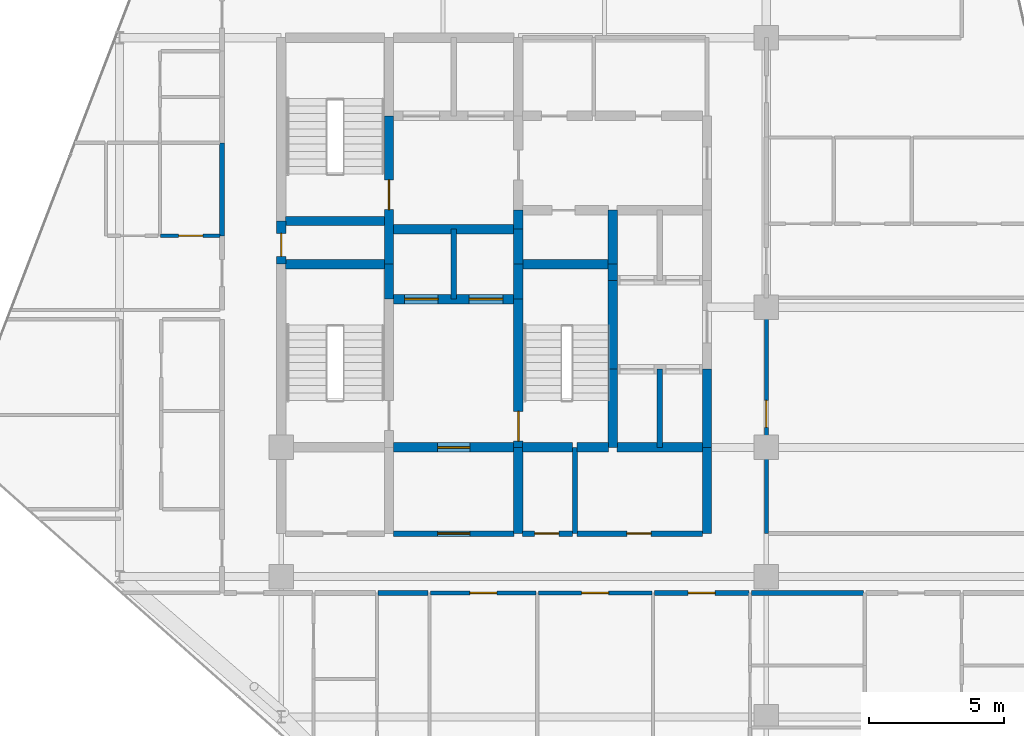
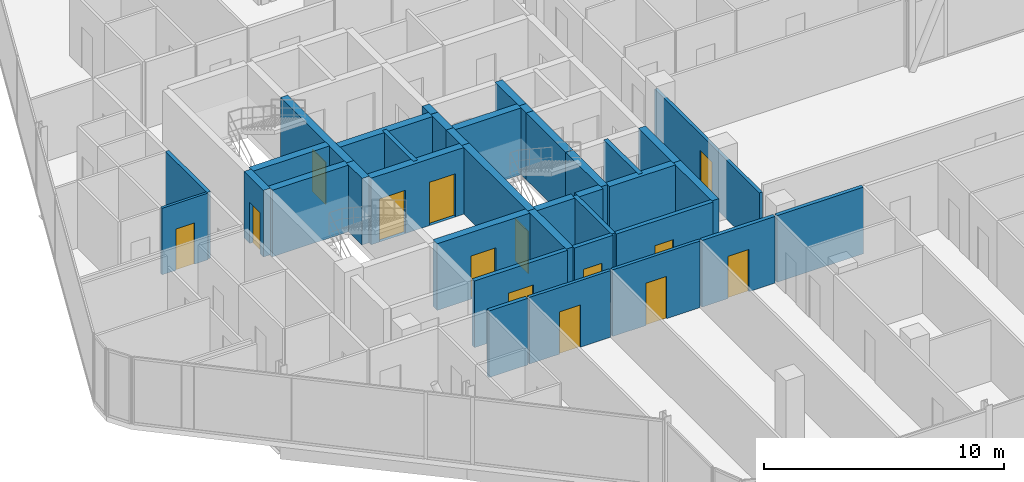
# One storey, part 24 of 29: 37 walls, 14 doors, 14 openings.
"""IFC4 building model written with IfcOpenShell, lengths in metres."""

from ifc_helpers import new_model, si_unit, direction, frame, frame_2d, origin, place, context, subcontext, project, spatial, rectangle, extrude, material, layer, layer_set, type_object, element, fill, save


model = new_model("IFC4")

# Units and contexts
model_context = context("Model", 3, precision=1e-05, world=origin(), true_north=direction((0.0, 1.0)))
body_context = subcontext(model_context, "Body", "Model", "MODEL_VIEW")
ifc_project = project(units=[si_unit("LENGTHUNIT", "METRE"), si_unit("AREAUNIT", "SQUARE_METRE"), si_unit("VOLUMEUNIT", "CUBIC_METRE"), si_unit("PLANEANGLEUNIT", "RADIAN"), si_unit("MASSUNIT", "GRAM", prefix="KILO")], contexts=[model_context])

# Site, building, storey
site_placement = place(None, origin())
site = spatial("IfcSite", under=ifc_project, at=site_placement, CompositionType="ELEMENT")
building_placement = place(site_placement, origin())
building = spatial("IfcBuilding", under=site, at=building_placement, Name="Keshet Zoharim Tower", CompositionType="ELEMENT")
storey_placement = place(building_placement, frame((0.0, 0.0, 199.5)))
storey = spatial("IfcBuildingStorey", under=building, at=storey_placement, Name="L49", CompositionType="ELEMENT", Elevation=199.5)

# Wall, opening, door
ifc_material_1 = material(Name="Gypsum Plasterboard", Category="gypsum")
ifc_layer_1 = layer(ifc_material_1, 0.14990234375)
ifc_layer_set_1 = layer_set([ifc_layer_1], Name="Gypsum Plasterboard")
wall_type_1 = type_object("IfcWallType", Name="WL-CLIN-150", PredefinedType="STANDARD", material=ifc_layer_set_1)
wall_1_placement = place(storey_placement, frame((33.0, 19.510009765625, 0.0), z_axis=(0.0, 0.0, 1.0), x_axis=(0.0, 1.0, 0.0)))
wall_1 = element("IfcWall", 1, at=wall_1_placement, inside=storey, type_object=wall_type_1, Name="L49 Interior Wall 071", PredefinedType="STANDARD", context=body_context, shape_type="SweptSolid", body=[
    extrude(rectangle(XDim=8.719970703125, YDim=0.14990234375, at=frame_2d((4.35986328125, 0.0))), origin(), (0.0, 0.0, 1.0), 2.989990234375),
])
opening_1_placement = place(wall_1_placement, frame((3.930908203125, 0.0, 0.0)))
opening_1 = element("IfcOpeningElement", 2, at=opening_1_placement, cuts=wall_1, Name="Opening D-F310", PredefinedType="OPENING", context=body_context, shape_type="SweptSolid", body=[
    extrude(rectangle(XDim=1.0, YDim=2.14990234375, at=frame_2d((0.5, 1.074951171875))), frame((0.0, 0.0849609375, 0.0), z_axis=(0.0, -1.0, 0.0), x_axis=(1.0, 0.0, 0.0)), (0.0, 0.0, 1.0), 0.169921875),
])
ifc_material_2 = material(Name="Hardwood Timber", Category="wood")
door_type_1 = type_object("IfcDoorType", Name="DR-FD30-100", OperationType="NOTDEFINED", PredefinedType="DOOR", material=ifc_material_2)
door_1_placement = place(opening_1_placement, origin())
door_1 = element("IfcDoor", 3, at=door_1_placement, inside=storey, type_object=door_type_1, Name="L49 South East Residents Services Suite Door 2", OperationType="SINGLE_SWING_RIGHT", OverallHeight=2.14990234375, OverallWidth=1.0, PredefinedType="DOOR", context=body_context, shape_type="SweptSolid", body=[
    extrude(rectangle(XDim=1.0, YDim=2.14990234375, at=frame_2d((0.5, 1.074951171875))), frame((0.0, 0.02490234375, 0.0), z_axis=(0.0, -1.0, 0.0), x_axis=(1.0, 0.0, 0.0)), (0.0, 0.0, 1.0), 0.050048828125),
])
fill(opening_1, door_1)

wall_2_placement = place(storey_placement, frame((20.544921875, 17.300048828125, 0.0), z_axis=(0.0, 0.0, 1.0), x_axis=(1.0, 0.0, 0.0)))
wall_2 = element("IfcWall", 4, at=wall_2_placement, inside=storey, type_object=wall_type_1, Name="L49 Interior Wall 119", PredefinedType="STANDARD", context=body_context, shape_type="SweptSolid", body=[
    extrude(rectangle(XDim=3.91015625, YDim=0.14990234375, at=frame_2d((1.955078125, 0.0))), origin(), (0.0, 0.0, 1.0), 3.389892578125),
])
opening_2_placement = place(wall_2_placement, frame((1.455078125, 0.0, 0.0)))
opening_2 = element("IfcOpeningElement", 5, at=opening_2_placement, cuts=wall_2, Name="Opening D-F310", PredefinedType="OPENING", context=body_context, shape_type="SweptSolid", body=[
    extrude(rectangle(XDim=1.0, YDim=2.14990234375, at=frame_2d((0.5, 1.074951171875))), frame((0.0, 0.0849609375, 0.0), z_axis=(0.0, -1.0, 0.0), x_axis=(1.0, 0.0, 0.0)), (0.0, 0.0, 1.0), 0.169921875),
])
door_2_placement = place(opening_2_placement, origin())
door_2 = element("IfcDoor", 6, at=door_2_placement, inside=storey, type_object=door_type_1, Name="L49 Residents Telework Office Door", OperationType="SINGLE_SWING_RIGHT", OverallHeight=2.14990234375, OverallWidth=1.0, PredefinedType="DOOR", context=body_context, shape_type="SweptSolid", body=[
    extrude(rectangle(XDim=1.0, YDim=2.14990234375, at=frame_2d((0.5, 1.074951171875))), frame((0.0, 0.02490234375, 0.0), z_axis=(0.0, -1.0, 0.0), x_axis=(1.0, 0.0, 0.0)), (0.0, 0.0, 1.0), 0.050048828125),
])
fill(opening_2, door_2)

wall_3_placement = place(storey_placement, frame((24.544921875, 17.300048828125, 0.0), z_axis=(0.0, 0.0, 1.0), x_axis=(1.0, 0.0, 0.0)))
wall_3 = element("IfcWall", 7, at=wall_3_placement, inside=storey, type_object=wall_type_1, Name="L49 Interior Wall 120", PredefinedType="STANDARD", context=body_context, shape_type="SweptSolid", body=[
    extrude(rectangle(XDim=4.2099609375, YDim=0.14990234375, at=frame_2d((2.10498046875, 0.0))), origin(), (0.0, 0.0, 1.0), 3.389892578125),
])
opening_3_placement = place(wall_3_placement, frame((1.60498046875, 0.0, 0.0)))
opening_3 = element("IfcOpeningElement", 8, at=opening_3_placement, cuts=wall_3, Name="Opening D-F310", PredefinedType="OPENING", context=body_context, shape_type="SweptSolid", body=[
    extrude(rectangle(XDim=1.0, YDim=2.14990234375, at=frame_2d((0.5, 1.074951171875))), frame((0.0, 0.0849609375, 0.0), z_axis=(0.0, -1.0, 0.0), x_axis=(1.0, 0.0, 0.0)), (0.0, 0.0, 1.0), 0.169921875),
])
door_3_placement = place(opening_3_placement, origin())
door_3 = element("IfcDoor", 9, at=door_3_placement, inside=storey, type_object=door_type_1, Name="L49 Residents Meeting Room Door", OperationType="SINGLE_SWING_LEFT", OverallHeight=2.14990234375, OverallWidth=1.0, PredefinedType="DOOR", context=body_context, shape_type="SweptSolid", body=[
    extrude(rectangle(XDim=1.0, YDim=2.14990234375, at=frame_2d((0.5, 1.074951171875))), frame((0.0, 0.02490234375, 0.0), z_axis=(0.0, -1.0, 0.0), x_axis=(1.0, 0.0, 0.0)), (0.0, 0.0, 1.0), 0.050048828125),
])
fill(opening_3, door_3)

ifc_material_3 = material(Name="Concrete C60/75", Category="concrete")
ifc_layer_2 = layer(ifc_material_3, 0.35009765625)
ifc_layer_set_2 = layer_set([ifc_layer_2], Name="Concrete C60/75")
wall_type_2 = type_object("IfcWallType", Name="WL-CORE-350", PredefinedType="SHEAR", material=ifc_layer_set_2)
wall_4_placement = place(storey_placement, frame((15.0, 29.5, 0.0), z_axis=(0.0, 0.0, 1.0), x_axis=(0.0, 1.0, 0.0)))
wall_4 = element("IfcWall", 10, at=wall_4_placement, inside=storey, type_object=wall_type_2, Name="L49 Core Shear Wall 018", PredefinedType="SHEAR", context=body_context, shape_type="SweptSolid", body=[
    extrude(rectangle(XDim=1.60009765625, YDim=0.35009765625, at=frame_2d((0.800048828125, 0.0))), origin(), (0.0, 0.0, 1.0), 3.389892578125),
])
opening_4_placement = place(wall_4_placement, frame((0.287109375, 0.0, 0.0)))
opening_4 = element("IfcOpeningElement", 11, at=opening_4_placement, cuts=wall_4, Name="Opening D-RS85", PredefinedType="OPENING", context=body_context, shape_type="SweptSolid", body=[
    extrude(rectangle(XDim=0.85009765625, YDim=2.10009765625, at=frame_2d((0.425048828125, 1.050048828125))), frame((0.0, 0.18505859375, 0.0), z_axis=(0.0, -1.0, 0.0), x_axis=(1.0, 0.0, 0.0)), (0.0, 0.0, 1.0), 0.3701171875),
])
door_type_2 = type_object("IfcDoorType", Name="DR-RIS-085", OperationType="NOTDEFINED", PredefinedType="DOOR", material=ifc_material_2)
door_4_placement = place(opening_4_placement, origin())
door_4 = element("IfcDoor", 12, at=door_4_placement, inside=storey, type_object=door_type_2, Name="L49 Electrical Riser Access Cupboard Door", OperationType="SINGLE_SWING_LEFT", OverallHeight=2.10009765625, OverallWidth=0.85009765625, PredefinedType="DOOR", context=body_context, shape_type="SweptSolid", body=[
    extrude(rectangle(XDim=0.85009765625, YDim=2.10009765625, at=frame_2d((0.425048828125, 1.050048828125))), frame((0.0, 0.02490234375, 0.0), z_axis=(0.0, -1.0, 0.0), x_axis=(1.0, 0.0, 0.0)), (0.0, 0.0, 1.0), 0.050048828125),
])
fill(opening_4, door_4)

# Wall
wall_5_placement = place(storey_placement, frame((19.0, 28.199951171875, 0.0), z_axis=(0.0, 0.0, 1.0), x_axis=(0.0, 1.0, 0.0)))
element("IfcWall", 13, at=wall_5_placement, inside=storey, type_object=wall_type_2, Name="L49 Core Shear Wall 030", PredefinedType="SHEAR", context=body_context, shape_type="SweptSolid", body=[
    extrude(rectangle(XDim=1.300048828125, YDim=0.35009765625, at=frame_2d((0.64990234375, 0.0))), origin(), (0.0, 0.0, 1.0), 3.389892578125),
])

# Wall, opening, door
wall_6_placement = place(storey_placement, frame((19.0, 29.5, 0.0), z_axis=(0.0, 0.0, 1.0), x_axis=(0.0, 1.0, 0.0)))
wall_6 = element("IfcWall", 14, at=wall_6_placement, inside=storey, type_object=wall_type_2, Name="L49 Core Shear Wall 031", PredefinedType="SHEAR", context=body_context, shape_type="SweptSolid", body=[
    extrude(rectangle(XDim=5.5, YDim=0.35009765625, at=frame_2d((2.75, 0.0))), origin(), (0.0, 0.0, 1.0), 3.389892578125),
])
opening_5_placement = place(wall_6_placement, frame((2.02490234375, 0.0, 0.0)))
opening_5 = element("IfcOpeningElement", 15, at=opening_5_placement, cuts=wall_6, Name="Opening D-F611", PredefinedType="OPENING", context=body_context, shape_type="SweptSolid", body=[
    extrude(rectangle(XDim=1.10009765625, YDim=2.14990234375, at=frame_2d((0.550048828125, 1.074951171875))), frame((0.0, 0.18505859375, 0.0), z_axis=(0.0, -1.0, 0.0), x_axis=(1.0, 0.0, 0.0)), (0.0, 0.0, 1.0), 0.3701171875),
])
door_type_3 = type_object("IfcDoorType", Name="DR-FD60-110", OperationType="NOTDEFINED", PredefinedType="DOOR", material=ifc_material_2)
door_5_placement = place(opening_5_placement, origin())
door_5 = element("IfcDoor", 16, at=door_5_placement, inside=storey, type_object=door_type_3, Name="L49 Exit Stair ST-02 Fire Door", OperationType="SINGLE_SWING_LEFT", OverallHeight=2.14990234375, OverallWidth=1.10009765625, PredefinedType="DOOR", context=body_context, shape_type="SweptSolid", body=[
    extrude(rectangle(XDim=1.10009765625, YDim=2.14990234375, at=frame_2d((0.550048828125, 1.074951171875))), frame((0.0, 0.02490234375, 0.0), z_axis=(0.0, -1.0, 0.0), x_axis=(1.0, 0.0, 0.0)), (0.0, 0.0, 1.0), 0.050048828125),
])
fill(opening_5, door_5)

# Wall
wall_7_placement = place(storey_placement, frame((23.800048828125, 19.5, 0.0), z_axis=(0.0, 0.0, 1.0), x_axis=(0.0, 1.0, 0.0)))
element("IfcWall", 17, at=wall_7_placement, inside=storey, type_object=wall_type_2, Name="L49 Core Shear Wall 037", PredefinedType="SHEAR", context=body_context, shape_type="SweptSolid", body=[
    extrude(rectangle(XDim=3.199951171875, YDim=0.35009765625, at=frame_2d((1.60009765625, 0.0))), origin(), (0.0, 0.0, 1.0), 3.389892578125),
])

# Wall, opening, door
wall_8_placement = place(storey_placement, frame((23.800048828125, 22.699951171875, 0.0), z_axis=(0.0, 0.0, 1.0), x_axis=(0.0, 1.0, 0.0)))
wall_8 = element("IfcWall", 18, at=wall_8_placement, inside=storey, type_object=wall_type_2, Name="L49 Core Shear Wall 038", PredefinedType="SHEAR", context=body_context, shape_type="SweptSolid", body=[
    extrude(rectangle(XDim=5.5, YDim=0.35009765625, at=frame_2d((2.75, 0.0))), origin(), (0.0, 0.0, 1.0), 3.389892578125),
])
opening_6_placement = place(wall_8_placement, frame((0.235107421875, 0.0, 0.0)))
opening_6 = element("IfcOpeningElement", 19, at=opening_6_placement, cuts=wall_8, Name="Opening D-F611", PredefinedType="OPENING", context=body_context, shape_type="SweptSolid", body=[
    extrude(rectangle(XDim=1.10009765625, YDim=2.14990234375, at=frame_2d((0.550048828125, 1.074951171875))), frame((0.0, 0.18505859375, 0.0), z_axis=(0.0, -1.0, 0.0), x_axis=(1.0, 0.0, 0.0)), (0.0, 0.0, 1.0), 0.3701171875),
])
door_6_placement = place(opening_6_placement, frame((1.10009765625, 0.0, 0.0), z_axis=(0.0, 0.0, 1.0), x_axis=(-1.0, 0.0, 0.0)))
door_6 = element("IfcDoor", 20, at=door_6_placement, inside=storey, type_object=door_type_3, Name="L49 Exit Stair ST-03 Fire Door", OperationType="SINGLE_SWING_RIGHT", OverallHeight=2.14990234375, OverallWidth=1.10009765625, PredefinedType="DOOR", context=body_context, shape_type="SweptSolid", body=[
    extrude(rectangle(XDim=1.10009765625, YDim=2.14990234375, at=frame_2d((0.550048828125, 1.074951171875))), frame((0.0, 0.02490234375, 0.0), z_axis=(0.0, -1.0, 0.0), x_axis=(1.0, 0.0, 0.0)), (0.0, 0.0, 1.0), 0.050048828125),
])
fill(opening_6, door_6)

# Walls
for number, where, z_axis, x_axis, name in (
    (21, (23.800048828125, 28.199951171875, 0.0), (0.0, 0.0, 1.0), (0.0, 1.0, 0.0), "L49 Core Shear Wall 039"),
    (22, (23.800048828125, 29.5, 0.0), (0.0, 0.0, 1.0), (0.0, 1.0, 0.0), "L49 Core Shear Wall 040"),
):
    element("IfcWall", number, at=place(storey_placement, frame(where, z_axis=z_axis, x_axis=x_axis)), inside=storey, type_object=wall_type_2, Name=name, PredefinedType="SHEAR", context=body_context, shape_type="SweptSolid", body=[
        extrude(rectangle(XDim=1.300048828125, YDim=0.35009765625, at=frame_2d((0.64990234375, 0.0))), origin(), (0.0, 0.0, 1.0), 3.389892578125),
    ])
wall_9_placement = place(storey_placement, frame((23.800048828125, 30.800048828125, 0.0), z_axis=(0.0, 0.0, 1.0), x_axis=(0.0, 1.0, 0.0)))
element("IfcWall", 23, at=wall_9_placement, inside=storey, type_object=wall_type_2, Name="L49 Core Shear Wall 041", PredefinedType="SHEAR", context=body_context, shape_type="SweptSolid", body=[
    extrude(rectangle(XDim=0.699951171875, YDim=0.35009765625, at=frame_2d((0.35009765625, 0.0))), origin(), (0.0, 0.0, 1.0), 3.389892578125),
])
wall_10_placement = place(storey_placement, frame((27.300048828125, 22.699951171875, 0.0), z_axis=(0.0, 0.0, 1.0), x_axis=(0.0, 1.0, 0.0)))
element("IfcWall", 24, at=wall_10_placement, inside=storey, type_object=wall_type_2, Name="L49 Core Shear Wall 051", PredefinedType="SHEAR", context=body_context, shape_type="SweptSolid", body=[
    extrude(rectangle(XDim=2.900146484375, YDim=0.35009765625, at=frame_2d((1.4501953125, 0.0))), origin(), (0.0, 0.0, 1.0), 3.389892578125),
])
wall_11_placement = place(storey_placement, frame((27.300048828125, 25.60009765625, 0.0), z_axis=(0.0, 0.0, 1.0), x_axis=(0.0, 1.0, 0.0)))
element("IfcWall", 25, at=wall_11_placement, inside=storey, type_object=wall_type_2, Name="L49 Core Shear Wall 052", PredefinedType="SHEAR", context=body_context, shape_type="SweptSolid", body=[
    extrude(rectangle(XDim=3.2998046875, YDim=0.35009765625, at=frame_2d((1.64990234375, 0.0))), origin(), (0.0, 0.0, 1.0), 3.389892578125),
])
wall_12_placement = place(storey_placement, frame((27.300048828125, 28.89990234375, 0.0), z_axis=(0.0, 0.0, 1.0), x_axis=(0.0, 1.0, 0.0)))
element("IfcWall", 26, at=wall_12_placement, inside=storey, type_object=wall_type_2, Name="L49 Core Shear Wall 053", PredefinedType="SHEAR", context=body_context, shape_type="SweptSolid", body=[
    extrude(rectangle(XDim=0.60009765625, YDim=0.35009765625, at=frame_2d((0.300048828125, 0.0))), origin(), (0.0, 0.0, 1.0), 3.389892578125),
])
wall_13_placement = place(storey_placement, frame((27.300048828125, 29.5, 0.0), z_axis=(0.0, 0.0, 1.0), x_axis=(0.0, 1.0, 0.0)))
element("IfcWall", 27, at=wall_13_placement, inside=storey, type_object=wall_type_2, Name="L49 Core Shear Wall 054", PredefinedType="SHEAR", context=body_context, shape_type="SweptSolid", body=[
    extrude(rectangle(XDim=2.0, YDim=0.35009765625, at=frame_2d((1.0, 0.0))), origin(), (0.0, 0.0, 1.0), 3.389892578125),
])
wall_14_placement = place(storey_placement, frame((30.800048828125, 19.5, 0.0), z_axis=(0.0, 0.0, 1.0), x_axis=(0.0, 1.0, 0.0)))
element("IfcWall", 28, at=wall_14_placement, inside=storey, type_object=wall_type_2, Name="L49 Core Shear Wall 062", PredefinedType="SHEAR", context=body_context, shape_type="SweptSolid", body=[
    extrude(rectangle(XDim=3.199951171875, YDim=0.35009765625, at=frame_2d((1.60009765625, 0.0))), origin(), (0.0, 0.0, 1.0), 3.389892578125),
])
wall_15_placement = place(storey_placement, frame((30.800048828125, 22.699951171875, 0.0), z_axis=(0.0, 0.0, 1.0), x_axis=(0.0, 1.0, 0.0)))
element("IfcWall", 29, at=wall_15_placement, inside=storey, type_object=wall_type_2, Name="L49 Core Shear Wall 063", PredefinedType="SHEAR", context=body_context, shape_type="SweptSolid", body=[
    extrude(rectangle(XDim=2.900146484375, YDim=0.35009765625, at=frame_2d((1.4501953125, 0.0))), origin(), (0.0, 0.0, 1.0), 3.389892578125),
])

# Wall, opening, door
wall_16_placement = place(storey_placement, frame((19.159912109375, 22.699951171875, 0.0), z_axis=(0.0, 0.0, 1.0), x_axis=(1.0, 0.0, 0.0)))
wall_16 = element("IfcWall", 30, at=wall_16_placement, inside=storey, type_object=wall_type_2, Name="L49 Core Shear Wall 139", PredefinedType="SHEAR", context=body_context, shape_type="SweptSolid", body=[
    extrude(rectangle(XDim=4.47998046875, YDim=0.35009765625, at=frame_2d((2.239990234375, 0.0))), origin(), (0.0, 0.0, 1.0), 3.389892578125),
])
opening_7_placement = place(wall_16_placement, frame((1.639892578125, 0.0, 0.0)))
opening_7 = element("IfcOpeningElement", 31, at=opening_7_placement, cuts=wall_16, Name="Opening D-F612", PredefinedType="OPENING", context=body_context, shape_type="SweptSolid", body=[
    extrude(rectangle(XDim=1.199951171875, YDim=2.199951171875, at=frame_2d((0.60009765625, 1.10009765625))), frame((0.0, 0.18505859375, 0.0), z_axis=(0.0, -1.0, 0.0), x_axis=(1.0, 0.0, 0.0)), (0.0, 0.0, 1.0), 0.3701171875),
])
door_type_4 = type_object("IfcDoorType", Name="DR-FD60-120", OperationType="NOTDEFINED", PredefinedType="DOOR", material=ifc_material_2)
door_7_placement = place(opening_7_placement, origin())
door_7 = element("IfcDoor", 32, at=door_7_placement, inside=storey, type_object=door_type_4, Name="L49 South Core Lobby Fire Door", OperationType="SINGLE_SWING_RIGHT", OverallHeight=2.199951171875, OverallWidth=1.199951171875, PredefinedType="DOOR", context=body_context, shape_type="SweptSolid", body=[
    extrude(rectangle(XDim=1.199951171875, YDim=2.199951171875, at=frame_2d((0.60009765625, 1.10009765625))), frame((0.0, 0.02490234375, 0.0), z_axis=(0.0, -1.0, 0.0), x_axis=(1.0, 0.0, 0.0)), (0.0, 0.0, 1.0), 0.050048828125),
])
fill(opening_7, door_7)

# Walls
wall_17_placement = place(storey_placement, frame((23.9599609375, 22.699951171875, 0.0), z_axis=(0.0, 0.0, 1.0), x_axis=(1.0, 0.0, 0.0)))
element("IfcWall", 33, at=wall_17_placement, inside=storey, type_object=wall_type_2, Name="L49 Core Shear Wall 140", PredefinedType="SHEAR", context=body_context, shape_type="SweptSolid", body=[
    extrude(rectangle(XDim=1.85498046875, YDim=0.35009765625, at=frame_2d((0.927490234375, 0.0))), origin(), (0.0, 0.0, 1.0), 3.389892578125),
])
wall_18_placement = place(storey_placement, frame((25.985107421875, 22.699951171875, 0.0), z_axis=(0.0, 0.0, 1.0), x_axis=(1.0, 0.0, 0.0)))
element("IfcWall", 34, at=wall_18_placement, inside=storey, type_object=wall_type_2, Name="L49 Core Shear Wall 141", PredefinedType="SHEAR", context=body_context, shape_type="SweptSolid", body=[
    extrude(rectangle(XDim=1.15478515625, YDim=0.35009765625, at=frame_2d((0.577392578125, 0.0))), origin(), (0.0, 0.0, 1.0), 3.389892578125),
])
wall_19_placement = place(storey_placement, frame((27.4599609375, 22.699951171875, 0.0), z_axis=(0.0, 0.0, 1.0), x_axis=(1.0, 0.0, 0.0)))
element("IfcWall", 35, at=wall_19_placement, inside=storey, type_object=wall_type_2, Name="L49 Core Shear Wall 142", PredefinedType="SHEAR", context=body_context, shape_type="SweptSolid", body=[
    extrude(rectangle(XDim=3.179931640625, YDim=0.35009765625, at=frame_2d((1.58984375, 0.0))), origin(), (0.0, 0.0, 1.0), 3.389892578125),
])

# Wall, openings, doors
wall_20_placement = place(storey_placement, frame((19.159912109375, 28.199951171875, 0.0), z_axis=(0.0, 0.0, 1.0), x_axis=(1.0, 0.0, 0.0)))
wall_20 = element("IfcWall", 36, at=wall_20_placement, inside=storey, type_object=wall_type_2, Name="L49 Core Shear Wall 150", PredefinedType="SHEAR", context=body_context, shape_type="SweptSolid", body=[
    extrude(rectangle(XDim=4.47998046875, YDim=0.35009765625, at=frame_2d((2.239990234375, 0.0))), origin(), (0.0, 0.0, 1.0), 3.389892578125),
])
opening_8_placement = place(wall_20_placement, frame((0.4150390625, 0.0, 0.0)))
opening_8 = element("IfcOpeningElement", 37, at=opening_8_placement, cuts=wall_20, Name="Opening LD-01", PredefinedType="OPENING", context=body_context, shape_type="SweptSolid", body=[
    extrude(rectangle(XDim=1.25, YDim=2.199951171875, at=frame_2d((0.625, 1.10009765625))), frame((0.0, 0.18505859375, 0.0), z_axis=(0.0, -1.0, 0.0), x_axis=(1.0, 0.0, 0.0)), (0.0, 0.0, 1.0), 0.3701171875),
])
opening_9_placement = place(wall_20_placement, frame((2.81494140625, 0.0, 0.0)))
opening_9 = element("IfcOpeningElement", 38, at=opening_9_placement, cuts=wall_20, Name="Opening LD-01", PredefinedType="OPENING", context=body_context, shape_type="SweptSolid", body=[
    extrude(rectangle(XDim=1.25, YDim=2.199951171875, at=frame_2d((0.625, 1.10009765625))), frame((0.0, 0.18505859375, 0.0), z_axis=(0.0, -1.0, 0.0), x_axis=(1.0, 0.0, 0.0)), (0.0, 0.0, 1.0), 0.3701171875),
])
ifc_material_4 = material(Name="Steel S355", Category="steel")
door_type_5 = type_object("IfcDoorType", Name="DR-LD01-125", OperationType="DOUBLE_DOOR_SLIDING", PredefinedType="DOOR", material=ifc_material_4)
door_8_placement = place(opening_8_placement, origin())
door_8 = element("IfcDoor", 39, at=door_8_placement, inside=storey, type_object=door_type_5, Name="L49 Passenger Lift Landing Door LF-09", OperationType="DOUBLE_DOOR_SLIDING", OverallHeight=2.199951171875, OverallWidth=1.25, PredefinedType="DOOR", context=body_context, shape_type="SweptSolid", body=[
    extrude(rectangle(XDim=1.25, YDim=2.199951171875, at=frame_2d((0.625, 1.10009765625))), frame((0.0, 0.02490234375, 0.0), z_axis=(0.0, -1.0, 0.0), x_axis=(1.0, 0.0, 0.0)), (0.0, 0.0, 1.0), 0.050048828125),
])
fill(opening_8, door_8)
door_9_placement = place(opening_9_placement, origin())
door_9 = element("IfcDoor", 40, at=door_9_placement, inside=storey, type_object=door_type_5, Name="L49 Passenger Lift Landing Door LF-10", OperationType="DOUBLE_DOOR_SLIDING", OverallHeight=2.199951171875, OverallWidth=1.25, PredefinedType="DOOR", context=body_context, shape_type="SweptSolid", body=[
    extrude(rectangle(XDim=1.25, YDim=2.199951171875, at=frame_2d((0.625, 1.10009765625))), frame((0.0, 0.02490234375, 0.0), z_axis=(0.0, -1.0, 0.0), x_axis=(1.0, 0.0, 0.0)), (0.0, 0.0, 1.0), 0.050048828125),
])
fill(opening_9, door_9)

# Walls
wall_21_placement = place(storey_placement, frame((15.159912109375, 29.5, 0.0), z_axis=(0.0, 0.0, 1.0), x_axis=(1.0, 0.0, 0.0)))
element("IfcWall", 41, at=wall_21_placement, inside=storey, type_object=wall_type_2, Name="L49 Core Shear Wall 153", PredefinedType="SHEAR", context=body_context, shape_type="SweptSolid", body=[
    extrude(rectangle(XDim=3.68017578125, YDim=0.35009765625, at=frame_2d((1.840087890625, 0.0))), origin(), (0.0, 0.0, 1.0), 3.389892578125),
])
wall_22_placement = place(storey_placement, frame((23.9599609375, 29.5, 0.0), z_axis=(0.0, 0.0, 1.0), x_axis=(1.0, 0.0, 0.0)))
element("IfcWall", 42, at=wall_22_placement, inside=storey, type_object=wall_type_2, Name="L49 Core Shear Wall 154", PredefinedType="SHEAR", context=body_context, shape_type="SweptSolid", body=[
    extrude(rectangle(XDim=3.179931640625, YDim=0.35009765625, at=frame_2d((1.58984375, 0.0))), origin(), (0.0, 0.0, 1.0), 3.389892578125),
])
wall_23_placement = place(storey_placement, frame((19.159912109375, 30.800048828125, 0.0), z_axis=(0.0, 0.0, 1.0), x_axis=(1.0, 0.0, 0.0)))
element("IfcWall", 43, at=wall_23_placement, inside=storey, type_object=wall_type_2, Name="L49 Core Shear Wall 157", PredefinedType="SHEAR", context=body_context, shape_type="SweptSolid", body=[
    extrude(rectangle(XDim=4.47998046875, YDim=0.35009765625, at=frame_2d((2.239990234375, 0.0))), origin(), (0.0, 0.0, 1.0), 3.389892578125),
])
wall_24_placement = place(storey_placement, frame((15.159912109375, 31.10009765625, 0.0), z_axis=(0.0, 0.0, 1.0), x_axis=(1.0, 0.0, 0.0)))
element("IfcWall", 44, at=wall_24_placement, inside=storey, type_object=wall_type_2, Name="L49 Core Shear Wall 161", PredefinedType="SHEAR", context=body_context, shape_type="SweptSolid", body=[
    extrude(rectangle(XDim=3.68017578125, YDim=0.35009765625, at=frame_2d((1.840087890625, 0.0))), origin(), (0.0, 0.0, 1.0), 3.389892578125),
])
ifc_layer_3 = layer(ifc_material_1, 0.179931640625)
ifc_layer_set_3 = layer_set([ifc_layer_3], Name="Gypsum Plasterboard")
wall_type_3 = type_object("IfcWallType", Name="WL-CORR-180", PredefinedType="STANDARD", material=ifc_layer_set_3)
wall_25_placement = place(storey_placement, frame((12.800048828125, 30.5400390625, 0.0), z_axis=(0.0, 0.0, 1.0), x_axis=(0.0, 1.0, 0.0)))
element("IfcWall", 45, at=wall_25_placement, inside=storey, type_object=wall_type_3, Name="L49 Interior Wall 012", PredefinedType="STANDARD", context=body_context, shape_type="SweptSolid", body=[
    extrude(rectangle(XDim=3.4599609375, YDim=0.179931640625, at=frame_2d((1.72998046875, 0.0))), origin(), (0.0, 0.0, 1.0), 3.389892578125),
])
wall_26_placement = place(storey_placement, frame((18.594970703125, 17.300048828125, 0.0), z_axis=(0.0, 0.0, 1.0), x_axis=(1.0, 0.0, 0.0)))
element("IfcWall", 46, at=wall_26_placement, inside=storey, type_object=wall_type_3, Name="L49 Interior Wall 118", PredefinedType="STANDARD", context=body_context, shape_type="SweptSolid", body=[
    extrude(rectangle(XDim=1.860107421875, YDim=0.179931640625, at=frame_2d((0.93017578125, 0.0))), origin(), (0.0, 0.0, 1.0), 3.389892578125),
])

# Wall, opening, door
wall_27_placement = place(storey_placement, frame((28.844970703125, 17.300048828125, 0.0), z_axis=(0.0, 0.0, 1.0), x_axis=(1.0, 0.0, 0.0)))
wall_27 = element("IfcWall", 47, at=wall_27_placement, inside=storey, type_object=wall_type_3, Name="L49 Interior Wall 121", PredefinedType="STANDARD", context=body_context, shape_type="SweptSolid", body=[
    extrude(rectangle(XDim=3.510009765625, YDim=0.179931640625, at=frame_2d((1.7548828125, 0.0))), origin(), (0.0, 0.0, 1.0), 3.389892578125),
])
opening_10_placement = place(wall_27_placement, frame((1.2548828125, 0.0, 0.0)))
opening_10 = element("IfcOpeningElement", 48, at=opening_10_placement, cuts=wall_27, Name="Opening D-F310", PredefinedType="OPENING", context=body_context, shape_type="SweptSolid", body=[
    extrude(rectangle(XDim=1.0, YDim=2.14990234375, at=frame_2d((0.5, 1.074951171875))), frame((0.0, 0.10009765625, 0.0), z_axis=(0.0, -1.0, 0.0), x_axis=(1.0, 0.0, 0.0)), (0.0, 0.0, 1.0), 0.199951171875),
])
door_10_placement = place(opening_10_placement, origin())
door_10 = element("IfcDoor", 49, at=door_10_placement, inside=storey, type_object=door_type_1, Name="Apartment 4902 Entrance Door", OperationType="SINGLE_SWING_RIGHT", OverallHeight=2.14990234375, OverallWidth=1.0, PredefinedType="DOOR", context=body_context, shape_type="SweptSolid", body=[
    extrude(rectangle(XDim=1.0, YDim=2.14990234375, at=frame_2d((0.5, 1.074951171875))), frame((0.0, 0.02490234375, 0.0), z_axis=(0.0, -1.0, 0.0), x_axis=(1.0, 0.0, 0.0)), (0.0, 0.0, 1.0), 0.050048828125),
])
fill(opening_10, door_10)

# Walls
wall_28_placement = place(storey_placement, frame((32.445068359375, 17.300048828125, 0.0), z_axis=(0.0, 0.0, 1.0), x_axis=(1.0, 0.0, 0.0)))
element("IfcWall", 50, at=wall_28_placement, inside=storey, type_object=wall_type_3, Name="L49 Interior Wall 122", PredefinedType="STANDARD", context=body_context, shape_type="SweptSolid", body=[
    extrude(rectangle(XDim=4.159912109375, YDim=0.179931640625, at=frame_2d((2.080078125, 0.0))), origin(), (0.0, 0.0, 1.0), 3.389892578125),
])
ifc_material_5 = material(Name="Concrete C50/60", Category="concrete")
ifc_layer_4 = layer(ifc_material_5, 0.199951171875)
ifc_layer_set_4 = layer_set([ifc_layer_4], Name="Concrete C50/60")
wall_type_4 = type_object("IfcWallType", Name="WL-FIRE-200", PredefinedType="STANDARD", material=ifc_layer_set_4)
wall_29_placement = place(storey_placement, frame((21.39990234375, 28.199951171875, 0.0), z_axis=(0.0, 0.0, 1.0), x_axis=(0.0, 1.0, 0.0)))
element("IfcWall", 51, at=wall_29_placement, inside=storey, type_object=wall_type_4, Name="L49 Interior Wall 035", PredefinedType="STANDARD", context=body_context, shape_type="SweptSolid", body=[
    extrude(rectangle(XDim=2.60009765625, YDim=0.199951171875, at=frame_2d((1.300048828125, 0.0))), origin(), (0.0, 0.0, 1.0), 3.389892578125),
])
wall_30_placement = place(storey_placement, frame((25.89990234375, 19.5, 0.0), z_axis=(0.0, 0.0, 1.0), x_axis=(0.0, 1.0, 0.0)))
element("IfcWall", 52, at=wall_30_placement, inside=storey, type_object=wall_type_4, Name="L49 Interior Wall 048", PredefinedType="STANDARD", context=body_context, shape_type="SweptSolid", body=[
    extrude(rectangle(XDim=3.199951171875, YDim=0.199951171875, at=frame_2d((1.60009765625, 0.0))), origin(), (0.0, 0.0, 1.0), 3.389892578125),
])
wall_31_placement = place(storey_placement, frame((29.050048828125, 22.699951171875, 0.0), z_axis=(0.0, 0.0, 1.0), x_axis=(0.0, 1.0, 0.0)))
element("IfcWall", 53, at=wall_31_placement, inside=storey, type_object=wall_type_4, Name="L49 Interior Wall 057", PredefinedType="STANDARD", context=body_context, shape_type="SweptSolid", body=[
    extrude(rectangle(XDim=2.900146484375, YDim=0.199951171875, at=frame_2d((1.4501953125, 0.0))), origin(), (0.0, 0.0, 1.0), 3.389892578125),
])

# Wall, opening, door
wall_32_placement = place(storey_placement, frame((19.159912109375, 19.5, 0.0), z_axis=(0.0, 0.0, 1.0), x_axis=(1.0, 0.0, 0.0)))
wall_32 = element("IfcWall", 54, at=wall_32_placement, inside=storey, type_object=wall_type_4, Name="L49 Interior Wall 131", PredefinedType="STANDARD", context=body_context, shape_type="SweptSolid", body=[
    extrude(rectangle(XDim=4.47998046875, YDim=0.199951171875, at=frame_2d((2.239990234375, 0.0))), origin(), (0.0, 0.0, 1.0), 3.389892578125),
])
opening_11_placement = place(wall_32_placement, frame((1.639892578125, 0.0, 0.0)))
opening_11 = element("IfcOpeningElement", 55, at=opening_11_placement, cuts=wall_32, Name="Opening D-F612", PredefinedType="OPENING", context=body_context, shape_type="SweptSolid", body=[
    extrude(rectangle(XDim=1.199951171875, YDim=2.199951171875, at=frame_2d((0.60009765625, 1.10009765625))), frame((0.0, 0.10986328125, 0.0), z_axis=(0.0, -1.0, 0.0), x_axis=(1.0, 0.0, 0.0)), (0.0, 0.0, 1.0), 0.219970703125),
])
door_11_placement = place(opening_11_placement, origin())
door_11 = element("IfcDoor", 56, at=door_11_placement, inside=storey, type_object=door_type_4, Name="L49 South Vestibule Corridor Door", OperationType="SINGLE_SWING_RIGHT", OverallHeight=2.199951171875, OverallWidth=1.199951171875, PredefinedType="DOOR", context=body_context, shape_type="SweptSolid", body=[
    extrude(rectangle(XDim=1.199951171875, YDim=2.199951171875, at=frame_2d((0.60009765625, 1.10009765625))), frame((0.0, 0.02490234375, 0.0), z_axis=(0.0, -1.0, 0.0), x_axis=(1.0, 0.0, 0.0)), (0.0, 0.0, 1.0), 0.050048828125),
])
fill(opening_11, door_11)

wall_33_placement = place(storey_placement, frame((23.9599609375, 19.5, 0.0), z_axis=(0.0, 0.0, 1.0), x_axis=(1.0, 0.0, 0.0)))
wall_33 = element("IfcWall", 57, at=wall_33_placement, inside=storey, type_object=wall_type_4, Name="L49 Interior Wall 132", PredefinedType="STANDARD", context=body_context, shape_type="SweptSolid", body=[
    extrude(rectangle(XDim=1.85498046875, YDim=0.199951171875, at=frame_2d((0.927490234375, 0.0))), origin(), (0.0, 0.0, 1.0), 3.389892578125),
])
opening_12_placement = place(wall_33_placement, frame((0.43994140625, 0.0, 0.0)))
opening_12 = element("IfcOpeningElement", 58, at=opening_12_placement, cuts=wall_33, Name="Opening D-F690", PredefinedType="OPENING", context=body_context, shape_type="SweptSolid", body=[
    extrude(rectangle(XDim=0.89990234375, YDim=2.14990234375, at=frame_2d((0.449951171875, 1.074951171875))), frame((0.0, 0.10986328125, 0.0), z_axis=(0.0, -1.0, 0.0), x_axis=(1.0, 0.0, 0.0)), (0.0, 0.0, 1.0), 0.219970703125),
])
door_type_6 = type_object("IfcDoorType", Name="DR-FD60-090", OperationType="NOTDEFINED", PredefinedType="DOOR", material=ifc_material_2)
door_12_placement = place(opening_12_placement, origin())
door_12 = element("IfcDoor", 59, at=door_12_placement, inside=storey, type_object=door_type_6, Name="L49 Cleaners Store Door", OperationType="SINGLE_SWING_LEFT", OverallHeight=2.14990234375, OverallWidth=0.89990234375, PredefinedType="DOOR", context=body_context, shape_type="SweptSolid", body=[
    extrude(rectangle(XDim=0.89990234375, YDim=2.14990234375, at=frame_2d((0.449951171875, 1.074951171875))), frame((0.0, 0.02490234375, 0.0), z_axis=(0.0, -1.0, 0.0), x_axis=(1.0, 0.0, 0.0)), (0.0, 0.0, 1.0), 0.050048828125),
])
fill(opening_12, door_12)

wall_34_placement = place(storey_placement, frame((25.985107421875, 19.5, 0.0), z_axis=(0.0, 0.0, 1.0), x_axis=(1.0, 0.0, 0.0)))
wall_34 = element("IfcWall", 60, at=wall_34_placement, inside=storey, type_object=wall_type_4, Name="L49 Interior Wall 133", PredefinedType="STANDARD", context=body_context, shape_type="SweptSolid", body=[
    extrude(rectangle(XDim=4.65478515625, YDim=0.199951171875, at=frame_2d((2.327392578125, 0.0))), origin(), (0.0, 0.0, 1.0), 3.389892578125),
])
opening_13_placement = place(wall_34_placement, frame((1.844970703125, 0.0, 0.0)))
opening_13 = element("IfcOpeningElement", 61, at=opening_13_placement, cuts=wall_34, Name="Opening D-F690", PredefinedType="OPENING", context=body_context, shape_type="SweptSolid", body=[
    extrude(rectangle(XDim=0.89990234375, YDim=2.14990234375, at=frame_2d((0.449951171875, 1.074951171875))), frame((0.0, 0.10986328125, 0.0), z_axis=(0.0, -1.0, 0.0), x_axis=(1.0, 0.0, 0.0)), (0.0, 0.0, 1.0), 0.219970703125),
])
door_13_placement = place(opening_13_placement, origin())
door_13 = element("IfcDoor", 62, at=door_13_placement, inside=storey, type_object=door_type_6, Name="L49 Meter Room Door", OperationType="SINGLE_SWING_RIGHT", OverallHeight=2.14990234375, OverallWidth=0.89990234375, PredefinedType="DOOR", context=body_context, shape_type="SweptSolid", body=[
    extrude(rectangle(XDim=0.89990234375, YDim=2.14990234375, at=frame_2d((0.449951171875, 1.074951171875))), frame((0.0, 0.02490234375, 0.0), z_axis=(0.0, -1.0, 0.0), x_axis=(1.0, 0.0, 0.0)), (0.0, 0.0, 1.0), 0.050048828125),
])
fill(opening_13, door_13)

ifc_layer_5 = layer(ifc_material_1, 0.1201171875)
ifc_layer_set_5 = layer_set([ifc_layer_5], Name="Gypsum Plasterboard")
wall_type_5 = type_object("IfcWallType", Name="WL-WET-120", PredefinedType="PARTITIONING", material=ifc_layer_set_5)
wall_35_placement = place(storey_placement, frame((10.52294921875, 30.550048828125, 0.0), z_axis=(0.0, 0.0, 1.0), x_axis=(1.0, 0.0, 0.0)))
wall_35 = element("IfcWall", 63, at=wall_35_placement, inside=storey, type_object=wall_type_5, Name="L49 Interior Wall 156", PredefinedType="PARTITIONING", context=body_context, shape_type="SweptSolid", body=[
    extrude(rectangle(XDim=2.2021484375, YDim=0.1201171875, at=frame_2d((1.10107421875, 0.0))), origin(), (0.0, 0.0, 1.0), 3.389892578125),
])
opening_14_placement = place(wall_35_placement, frame((0.666015625, 0.0, 0.0)))
opening_14 = element("IfcOpeningElement", 64, at=opening_14_placement, cuts=wall_35, Name="Opening D-WT90", PredefinedType="OPENING", context=body_context, shape_type="SweptSolid", body=[
    extrude(rectangle(XDim=0.89990234375, YDim=2.10009765625, at=frame_2d((0.449951171875, 1.050048828125))), frame((0.0, 0.070068359375, 0.0), z_axis=(0.0, -1.0, 0.0), x_axis=(1.0, 0.0, 0.0)), (0.0, 0.0, 1.0), 0.14013671875),
])
door_type_7 = type_object("IfcDoorType", Name="DR-WET-090", OperationType="NOTDEFINED", PredefinedType="DOOR", material=ifc_material_2)
door_14_placement = place(opening_14_placement, origin())
door_14 = element("IfcDoor", 65, at=door_14_placement, inside=storey, type_object=door_type_7, Name="Apartment 4909 Bathroom Door", OperationType="SINGLE_SWING_RIGHT", OverallHeight=2.10009765625, OverallWidth=0.89990234375, PredefinedType="DOOR", context=body_context, shape_type="SweptSolid", body=[
    extrude(rectangle(XDim=0.89990234375, YDim=2.10009765625, at=frame_2d((0.449951171875, 1.050048828125))), frame((0.0, 0.02490234375, 0.0), z_axis=(0.0, -1.0, 0.0), x_axis=(1.0, 0.0, 0.0)), (0.0, 0.0, 1.0), 0.050048828125),
])
fill(opening_14, door_14)

save(model, "model.ifc")
